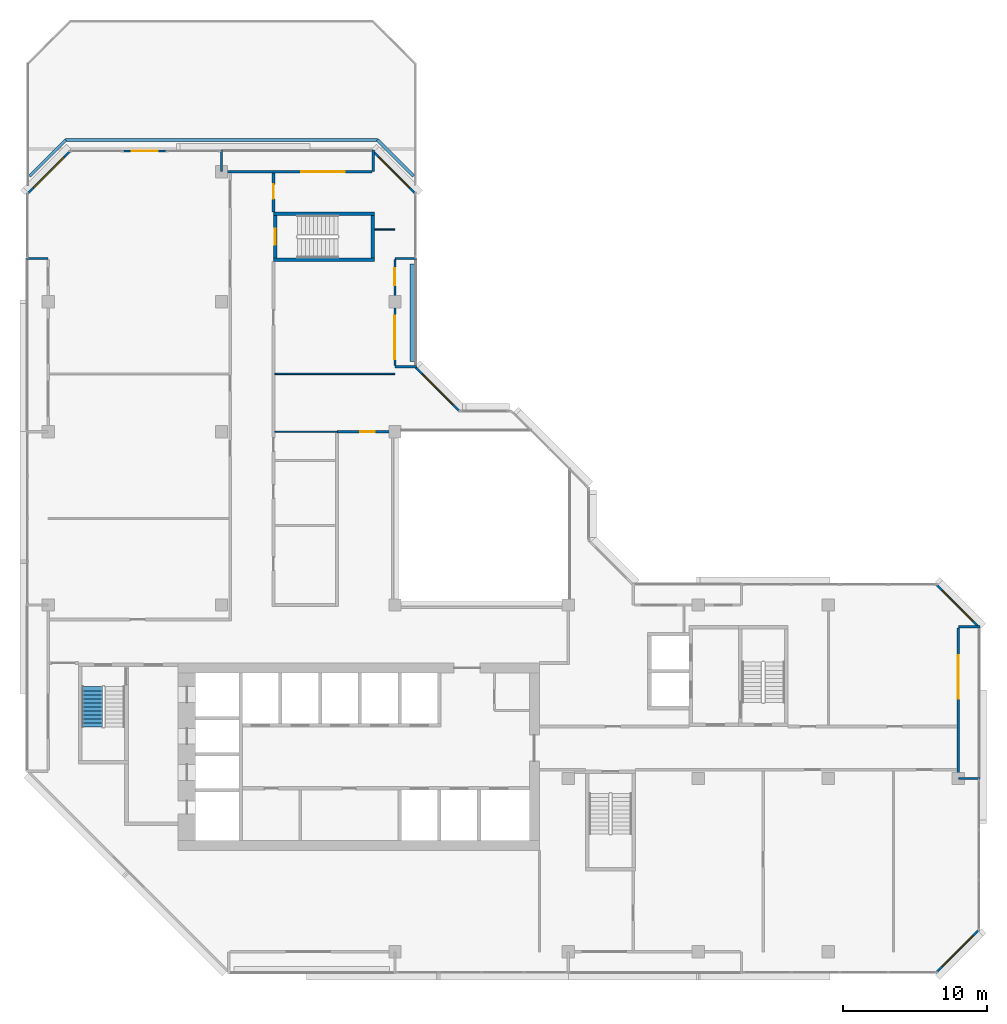
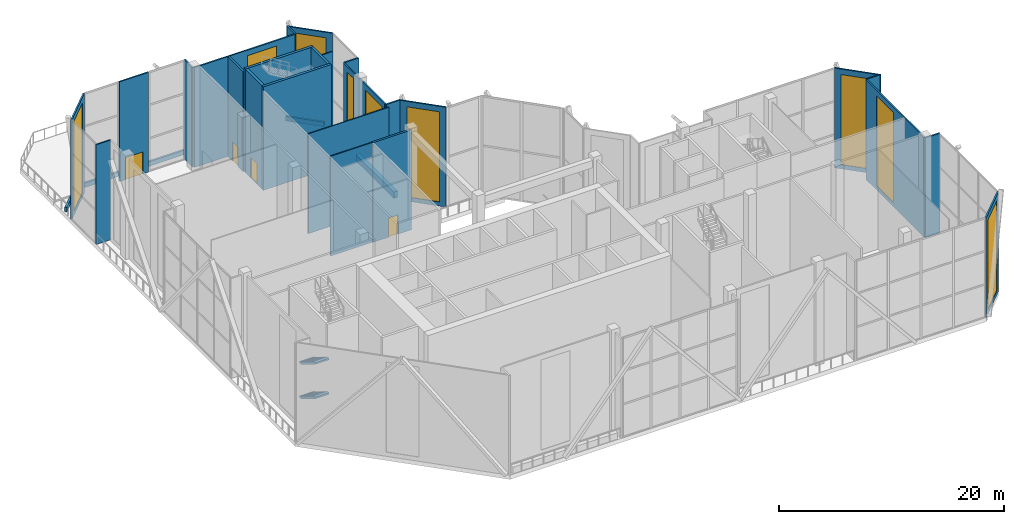
# One storey, part 13 of 18: 29 walls, 9 windows, 4 doors, 2 stair flights, 13 openings, 1 element without a shape of its own.
"""IFC4 building model written with IfcOpenShell, lengths in metres."""

from ifc_helpers import new_model, si_unit, direction, frame, frame_2d, origin, place, context, subcontext, project, spatial, polyline, rectangle, outline, extrude, material, layer, layer_set, type_object, element, fill, aggregate, save


model = new_model("IFC4")

# Units and contexts
model_context = context("Model", 3, precision=1e-05, world=origin(), true_north=direction((0.0, 1.0)))
body_context = subcontext(model_context, "Body", "Model", "MODEL_VIEW")
ifc_project = project(units=[si_unit("LENGTHUNIT", "METRE"), si_unit("AREAUNIT", "SQUARE_METRE"), si_unit("VOLUMEUNIT", "CUBIC_METRE"), si_unit("PLANEANGLEUNIT", "RADIAN"), si_unit("MASSUNIT", "GRAM", prefix="KILO")], contexts=[model_context])

# Site, building, storey
site_placement = place(None, origin())
site = spatial("IfcSite", under=ifc_project, at=site_placement, CompositionType="ELEMENT")
building_placement = place(site_placement, origin())
building = spatial("IfcBuilding", under=site, at=building_placement, Name="Chenar Terraces", CompositionType="ELEMENT")
storey_placement = place(building_placement, frame((0.0, 0.0, 262.14990234375)))
storey = spatial("IfcBuildingStorey", under=building, at=storey_placement, Name="L62", CompositionType="ELEMENT", Elevation=262.14990234375)

# Walls
ifc_material_1 = material(Name="Concrete C60/75", Category="concrete")
ifc_layer_1 = layer(ifc_material_1, 0.25)
ifc_layer_set_1 = layer_set([ifc_layer_1], Name="Concrete C60/75")
wall_type_1 = type_object("IfcWallType", Name="Core wall 250 Concrete C60/75", PredefinedType="SHEAR", material=ifc_layer_set_1)
for number, where, z_axis, x_axis, name in (
    (1, (15.60009765625, 47.89990234375, 0.0), (0.0, 0.0, 1.0), (1.0, 0.0, 0.0), "Core wall ST4_S L62"),
    (2, (15.60009765625, 51.10009765625, 0.0), (0.0, 0.0, 1.0), (1.0, 0.0, 0.0), "Core wall ST4_N L62"),
):
    element("IfcWall", number, at=place(storey_placement, frame(where, z_axis=z_axis, x_axis=x_axis)), inside=storey, type_object=wall_type_1, Name=name, PredefinedType="SHEAR", context=body_context, shape_type="SweptSolid", body=[
        extrude(rectangle(XDim=7.0, YDim=0.25, at=frame_2d((3.5, 0.0))), origin(), (0.0, 0.0, 1.0), 11.25),
    ])

# Wall, opening, door
wall_1_placement = place(storey_placement, frame((15.72509765625, 48.02490234375, 0.0), z_axis=(0.0, 0.0, 1.0), x_axis=(0.0, 1.0, 0.0)))
wall_1 = element("IfcWall", 3, at=wall_1_placement, inside=storey, type_object=wall_type_1, Name="Core wall ST4_W L62", PredefinedType="SHEAR", context=body_context, shape_type="SweptSolid", body=[
    extrude(rectangle(XDim=2.9501953125, YDim=0.25, at=frame_2d((1.47509765625, 0.0))), origin(), (0.0, 0.0, 1.0), 11.25),
])
opening_1_placement = place(wall_1_placement, frame((0.925048828125, 0.0, 0.0)))
opening_1 = element("IfcOpeningElement", 4, at=opening_1_placement, cuts=wall_1, Name="Opening DL62-C9", PredefinedType="OPENING", context=body_context, shape_type="SweptSolid", body=[
    extrude(rectangle(XDim=1.10009765625, YDim=2.199951171875, at=frame_2d((0.550048828125, 1.10009765625))), frame((0.0, 0.135009765625, 0.0), z_axis=(0.0, -1.0, 0.0), x_axis=(1.0, 0.0, 0.0)), (0.0, 0.0, 1.0), 0.27001953125),
])
ifc_material_2 = material(Name="Steel-framed fire-resisting door leaf", Category="steel")
door_type_1 = type_object("IfcDoorType", Name="Stair fire door FD60 1100 x 2200", OperationType="SINGLE_SWING_LEFT", PredefinedType="DOOR", material=ifc_material_2)
door_1_placement = place(opening_1_placement, frame((1.10009765625, 0.0, 0.0), z_axis=(0.0, 0.0, 1.0), x_axis=(-1.0, 0.0, 0.0)))
door_1 = element("IfcDoor", 5, at=door_1_placement, inside=storey, type_object=door_type_1, Name="Stair door DL62-C9", OperationType="SINGLE_SWING_RIGHT", OverallHeight=2.199951171875, OverallWidth=1.10009765625, PredefinedType="DOOR", context=body_context, shape_type="SweptSolid", body=[
    extrude(rectangle(XDim=1.10009765625, YDim=2.199951171875, at=frame_2d((0.550048828125, 1.10009765625))), frame((0.0, 0.02490234375, 0.0), z_axis=(0.0, -1.0, 0.0), x_axis=(1.0, 0.0, 0.0)), (0.0, 0.0, 1.0), 0.050048828125),
])
fill(opening_1, door_1)

# Wall
wall_2_placement = place(storey_placement, frame((22.47509765625, 48.02490234375, 0.0), z_axis=(0.0, 0.0, 1.0), x_axis=(0.0, 1.0, 0.0)))
element("IfcWall", 6, at=wall_2_placement, inside=storey, type_object=wall_type_1, Name="Core wall ST4_E L62", PredefinedType="SHEAR", context=body_context, shape_type="SweptSolid", body=[
    extrude(rectangle(XDim=2.9501953125, YDim=0.25, at=frame_2d((1.47509765625, 0.0))), origin(), (0.0, 0.0, 1.0), 11.25),
])

# Wall, opening, door
ifc_material_3 = material(Name="Gypsum board on steel studs with fire boards", Category="steel")
ifc_layer_2 = layer(ifc_material_3, 0.199951171875)
ifc_layer_set_2 = layer_set([ifc_layer_2], Name="Gypsum board on steel studs with fire boards")
wall_type_2 = type_object("IfcWallType", Name="Corridor wall 200", PredefinedType="PARTITIONING", material=ifc_layer_set_2)
wall_3_placement = place(storey_placement, frame((15.60009765625, 51.22509765625, 0.0), z_axis=(0.0, 0.0, 1.0), x_axis=(0.0, 1.0, 0.0)))
wall_3 = element("IfcWall", 7, at=wall_3_placement, inside=storey, type_object=wall_type_2, Name="Partition L62-007", PredefinedType="PARTITIONING", context=body_context, shape_type="SweptSolid", body=[
    extrude(rectangle(XDim=2.700927734375, YDim=0.199951171875, at=frame_2d((1.3505859375, 0.0))), origin(), (0.0, 0.0, 1.0), 10.85009765625),
])
opening_2_placement = place(wall_3_placement, frame((0.89990234375, 0.0, 0.0)))
opening_2 = element("IfcOpeningElement", 8, at=opening_2_placement, cuts=wall_3, Name="Opening DL62-10", PredefinedType="OPENING", context=body_context, shape_type="SweptSolid", body=[
    extrude(rectangle(XDim=1.0, YDim=2.10009765625, at=frame_2d((0.5, 1.050048828125))), frame((0.0, 0.10986328125, 0.0), z_axis=(0.0, -1.0, 0.0), x_axis=(1.0, 0.0, 0.0)), (0.0, 0.0, 1.0), 0.219970703125),
])
ifc_material_4 = material(Name="Steel-framed fire-resisting door leaf", Category="steel")
door_type_2 = type_object("IfcDoorType", Name="Fire door FD60 1000 x 2100", OperationType="SINGLE_SWING_LEFT", PredefinedType="DOOR", material=ifc_material_4)
door_2_placement = place(opening_2_placement, frame((1.0, 0.0, 0.0), z_axis=(0.0, 0.0, 1.0), x_axis=(-1.0, 0.0, 0.0)))
door_2 = element("IfcDoor", 9, at=door_2_placement, inside=storey, type_object=door_type_2, Name="Door DL62-10", OperationType="SINGLE_SWING_LEFT", OverallHeight=2.10009765625, OverallWidth=1.0, PredefinedType="DOOR", context=body_context, shape_type="SweptSolid", body=[
    extrude(rectangle(XDim=1.0, YDim=2.10009765625, at=frame_2d((0.5, 1.050048828125))), frame((0.0, 0.02490234375, 0.0), z_axis=(0.0, -1.0, 0.0), x_axis=(1.0, 0.0, 0.0)), (0.0, 0.0, 1.0), 0.050048828125),
])
fill(opening_2, door_2)

wall_4_placement = place(storey_placement, frame((20.0, 36.0, 0.0), z_axis=(0.0, 0.0, 1.0), x_axis=(1.0, 0.0, 0.0)))
wall_4 = element("IfcWall", 10, at=wall_4_placement, inside=storey, type_object=wall_type_2, Name="Partition L62-014", PredefinedType="PARTITIONING", context=body_context, shape_type="SweptSolid", body=[
    extrude(rectangle(XDim=4.0, YDim=0.199951171875, at=frame_2d((2.0, 0.0))), origin(), (0.0, 0.0, 1.0), 10.85009765625),
])
opening_3_placement = place(wall_4_placement, frame((1.60009765625, 0.0, 0.0)))
opening_3 = element("IfcOpeningElement", 11, at=opening_3_placement, cuts=wall_4, Name="Opening DL62-8", PredefinedType="OPENING", context=body_context, shape_type="SweptSolid", body=[
    extrude(rectangle(XDim=1.0, YDim=2.10009765625, at=frame_2d((0.5, 1.050048828125))), frame((0.0, 0.10986328125, 0.0), z_axis=(0.0, -1.0, 0.0), x_axis=(1.0, 0.0, 0.0)), (0.0, 0.0, 1.0), 0.219970703125),
])
door_3_placement = place(opening_3_placement, origin())
door_3 = element("IfcDoor", 12, at=door_3_placement, inside=storey, type_object=door_type_2, Name="Door DL62-8", OperationType="SINGLE_SWING_RIGHT", OverallHeight=2.10009765625, OverallWidth=1.0, PredefinedType="DOOR", context=body_context, shape_type="SweptSolid", body=[
    extrude(rectangle(XDim=1.0, YDim=2.10009765625, at=frame_2d((0.5, 1.050048828125))), frame((0.0, 0.02490234375, 0.0), z_axis=(0.0, -1.0, 0.0), x_axis=(1.0, 0.0, 0.0)), (0.0, 0.0, 1.0), 0.050048828125),
])
fill(opening_3, door_3)

ifc_material_5 = material(Name="Aluminium framed glazing", Category="aluminium")
ifc_layer_3 = layer(ifc_material_5, 0.14990234375)
ifc_layer_set_3 = layer_set([ifc_layer_3], Name="Aluminium framed glazing")
wall_type_3 = type_object("IfcWallType", Name="Glazed flush facade wall 150", PredefinedType="SOLIDWALL", material=ifc_layer_set_3)
wall_5_placement = place(storey_placement, frame((8.175048828125, 55.425048828125, 0.0), z_axis=(0.0, 0.0, 1.0), x_axis=(-1.0, 0.0, 0.0)))
wall_5 = element("IfcWall", 13, at=wall_5_placement, inside=storey, type_object=wall_type_3, Name="Glazed flush facade wall", PredefinedType="SOLIDWALL", context=body_context, shape_type="SweptSolid", body=[
    extrude(rectangle(XDim=3.0, YDim=0.14990234375, at=frame_2d((1.5, 0.0))), origin(), (0.0, 0.0, 1.0), 10.85009765625),
])
opening_4_placement = place(wall_5_placement, frame((0.60009765625, 0.0, 0.0)))
opening_4 = element("IfcOpeningElement", 14, at=opening_4_placement, cuts=wall_5, Name="Opening DL62-S15", PredefinedType="OPENING", context=body_context, shape_type="SweptSolid", body=[
    extrude(rectangle(XDim=1.800048828125, YDim=2.39990234375, at=frame_2d((0.89990234375, 1.199951171875))), frame((0.0, 0.0849609375, 0.0), z_axis=(0.0, -1.0, 0.0), x_axis=(1.0, 0.0, 0.0)), (0.0, 0.0, 1.0), 0.169921875),
])
ifc_material_6 = material(Name="Low emissivity double glazing, aluminium frame", Category="aluminium")
door_type_3 = type_object("IfcDoorType", Name="Terrace glazed double door 1800 x 2400", OperationType="DOUBLE_DOOR_SINGLE_SWING", PredefinedType="DOOR", material=ifc_material_6)
door_4_placement = place(opening_4_placement, origin())
door_4 = element("IfcDoor", 15, at=door_4_placement, inside=storey, type_object=door_type_3, Name="Terrace glazed door", OperationType="DOUBLE_DOOR_SINGLE_SWING", OverallHeight=2.39990234375, OverallWidth=1.800048828125, PredefinedType="DOOR", context=body_context, shape_type="SweptSolid", body=[
    extrude(rectangle(XDim=1.800048828125, YDim=2.39990234375, at=frame_2d((0.89990234375, 1.199951171875))), frame((0.0, 0.02490234375, 0.0), z_axis=(0.0, -1.0, 0.0), x_axis=(1.0, 0.0, 0.0)), (0.0, 0.0, 1.0), 0.050048828125),
])
fill(opening_4, door_4)

# Wall, openings, windows
ifc_material_7 = material(Name="Aluminium framed glazing", Category="aluminium")
ifc_layer_4 = layer(ifc_material_7, 0.14990234375)
ifc_layer_set_4 = layer_set([ifc_layer_4], Name="Aluminium framed glazing")
wall_type_4 = type_object("IfcWallType", Name="Glazed loggia back wall 150", PredefinedType="SOLIDWALL", material=ifc_layer_set_4)
wall_6_placement = place(storey_placement, frame((24.0, 40.574951171875, 0.0), z_axis=(0.0, 0.0, 1.0), x_axis=(0.0, 1.0, 0.0)))
wall_6 = element("IfcWall", 16, at=wall_6_placement, inside=storey, type_object=wall_type_4, Name="Glazed loggia back wall", PredefinedType="SOLIDWALL", context=body_context, shape_type="SweptSolid", body=[
    extrude(rectangle(XDim=7.35009765625, YDim=0.14990234375, at=frame_2d((3.675048828125, 0.0))), origin(), (0.0, 0.0, 1.0), 10.85009765625),
])
opening_5_placement = place(wall_6_placement, frame((0.449951171875, 0.0, 0.449951171875)))
opening_5 = element("IfcOpeningElement", 17, at=opening_5_placement, cuts=wall_6, Name="Opening W300x980", PredefinedType="OPENING", context=body_context, shape_type="SweptSolid", body=[
    extrude(rectangle(XDim=3.0, YDim=9.800048828125, at=frame_2d((1.5, 4.89990234375))), frame((0.0, 0.0849609375, 0.0), z_axis=(0.0, -1.0, 0.0), x_axis=(1.0, 0.0, 0.0)), (0.0, 0.0, 1.0), 0.169921875),
])
opening_6_placement = place(wall_6_placement, frame((5.550048828125, 0.0, 0.449951171875)))
opening_6 = element("IfcOpeningElement", 18, at=opening_6_placement, cuts=wall_6, Name="Opening W120x980", PredefinedType="OPENING", context=body_context, shape_type="SweptSolid", body=[
    extrude(rectangle(XDim=1.199951171875, YDim=9.800048828125, at=frame_2d((0.60009765625, 4.89990234375))), frame((0.0, 0.0849609375, 0.0), z_axis=(0.0, -1.0, 0.0), x_axis=(1.0, 0.0, 0.0)), (0.0, 0.0, 1.0), 0.169921875),
])
ifc_material_8 = material(Name="Low emissivity double glazing, aluminium frame", Category="aluminium")
window_type_1 = type_object("IfcWindowType", Name="Fixed light 1200 x 9800", PartitioningType="SINGLE_PANEL", PredefinedType="WINDOW", material=ifc_material_8)
window_1_placement = place(opening_6_placement, origin())
window_1 = element("IfcWindow", 19, at=window_1_placement, inside=storey, type_object=window_type_1, Name="Window", OverallHeight=9.800048828125, OverallWidth=1.199951171875, PartitioningType="SINGLE_PANEL", PredefinedType="WINDOW", context=body_context, shape_type="SweptSolid", body=[
    extrude(rectangle(XDim=1.199951171875, YDim=9.800048828125, at=frame_2d((0.60009765625, 4.89990234375))), frame((0.0, 0.030029296875, 0.0), z_axis=(0.0, -1.0, 0.0), x_axis=(1.0, 0.0, 0.0)), (0.0, 0.0, 1.0), 0.06005859375),
])
fill(opening_6, window_1)
ifc_material_9 = material(Name="Low emissivity double glazing, aluminium frame", Category="aluminium")
window_type_2 = type_object("IfcWindowType", Name="Fixed light 3000 x 9800", PartitioningType="SINGLE_PANEL", PredefinedType="WINDOW", material=ifc_material_9)
window_2_placement = place(opening_5_placement, origin())
window_2 = element("IfcWindow", 20, at=window_2_placement, inside=storey, type_object=window_type_2, Name="Window", OverallHeight=9.800048828125, OverallWidth=3.0, PartitioningType="SINGLE_PANEL", PredefinedType="WINDOW", context=body_context, shape_type="SweptSolid", body=[
    extrude(rectangle(XDim=3.0, YDim=9.800048828125, at=frame_2d((1.5, 4.89990234375))), frame((0.0, 0.030029296875, 0.0), z_axis=(0.0, -1.0, 0.0), x_axis=(1.0, 0.0, 0.0)), (0.0, 0.0, 1.0), 0.06005859375),
])
fill(opening_5, window_2)

# Wall, opening, window
wall_7_placement = place(storey_placement, frame((22.425048828125, 54.0, 0.0), z_axis=(0.0, 0.0, 1.0), x_axis=(-1.0, 0.0, 0.0)))
wall_7 = element("IfcWall", 21, at=wall_7_placement, inside=storey, type_object=wall_type_4, Name="Glazed loggia back wall", PredefinedType="SOLIDWALL", context=body_context, shape_type="SweptSolid", body=[
    extrude(rectangle(XDim=10.35009765625, YDim=0.14990234375, at=frame_2d((5.175048828125, 0.0))), origin(), (0.0, 0.0, 1.0), 10.85009765625),
])
opening_7_placement = place(wall_7_placement, frame((1.91259765625, 0.0, 0.449951171875)))
opening_7 = element("IfcOpeningElement", 22, at=opening_7_placement, cuts=wall_7, Name="Opening W300x980", PredefinedType="OPENING", context=body_context, shape_type="SweptSolid", body=[
    extrude(rectangle(XDim=3.0, YDim=9.800048828125, at=frame_2d((1.5, 4.89990234375))), frame((0.0, 0.0849609375, 0.0), z_axis=(0.0, -1.0, 0.0), x_axis=(1.0, 0.0, 0.0)), (0.0, 0.0, 1.0), 0.169921875),
])
window_3_placement = place(opening_7_placement, origin())
window_3 = element("IfcWindow", 23, at=window_3_placement, inside=storey, type_object=window_type_2, Name="Window", OverallHeight=9.800048828125, OverallWidth=3.0, PartitioningType="SINGLE_PANEL", PredefinedType="WINDOW", context=body_context, shape_type="SweptSolid", body=[
    extrude(rectangle(XDim=3.0, YDim=9.800048828125, at=frame_2d((1.5, 4.89990234375))), frame((0.0, 0.030029296875, 0.0), z_axis=(0.0, -1.0, 0.0), x_axis=(1.0, 0.0, 0.0)), (0.0, 0.0, 1.0), 0.06005859375),
])
fill(opening_7, window_3)

wall_8_placement = place(storey_placement, frame((63.0, 12.074951171875, 0.0), z_axis=(0.0, 0.0, 1.0), x_axis=(0.0, 1.0, 0.0)))
wall_8 = element("IfcWall", 24, at=wall_8_placement, inside=storey, type_object=wall_type_4, Name="Glazed loggia back wall", PredefinedType="SOLIDWALL", context=body_context, shape_type="SweptSolid", body=[
    extrude(rectangle(XDim=10.35009765625, YDim=0.14990234375, at=frame_2d((5.175048828125, 0.0))), origin(), (0.0, 0.0, 1.0), 10.85009765625),
])
opening_8_placement = place(wall_8_placement, frame((5.4375, 0.0, 0.449951171875)))
opening_8 = element("IfcOpeningElement", 25, at=opening_8_placement, cuts=wall_8, Name="Opening W300x980", PredefinedType="OPENING", context=body_context, shape_type="SweptSolid", body=[
    extrude(rectangle(XDim=3.0, YDim=9.800048828125, at=frame_2d((1.5, 4.89990234375))), frame((0.0, 0.0849609375, 0.0), z_axis=(0.0, -1.0, 0.0), x_axis=(1.0, 0.0, 0.0)), (0.0, 0.0, 1.0), 0.169921875),
])
window_4_placement = place(opening_8_placement, origin())
window_4 = element("IfcWindow", 26, at=window_4_placement, inside=storey, type_object=window_type_2, Name="Window", OverallHeight=9.800048828125, OverallWidth=3.0, PartitioningType="SINGLE_PANEL", PredefinedType="WINDOW", context=body_context, shape_type="SweptSolid", body=[
    extrude(rectangle(XDim=3.0, YDim=9.800048828125, at=frame_2d((1.5, 4.89990234375))), frame((0.0, 0.030029296875, 0.0), z_axis=(0.0, -1.0, 0.0), x_axis=(1.0, 0.0, 0.0)), (0.0, 0.0, 1.0), 0.06005859375),
])
fill(opening_8, window_4)

# Walls
ifc_material_10 = material(Name="Gypsum board on steel studs", Category="steel")
ifc_layer_5 = layer(ifc_material_10, 0.10009765625)
ifc_layer_set_5 = layer_set([ifc_layer_5], Name="Gypsum board on steel studs")
wall_type_5 = type_object("IfcWallType", Name="Gypsum partition 100", PredefinedType="PARTITIONING", material=ifc_layer_set_5)
wall_9_placement = place(storey_placement, frame((15.699951171875, 36.0, 0.0), z_axis=(0.0, 0.0, 1.0), x_axis=(1.0, 0.0, 0.0)))
element("IfcWall", 27, at=wall_9_placement, inside=storey, type_object=wall_type_5, Name="Partition L62-011", PredefinedType="PARTITIONING", context=body_context, shape_type="SweptSolid", body=[
    extrude(rectangle(XDim=4.300048828125, YDim=0.10009765625, at=frame_2d((2.14990234375, 0.0))), origin(), (0.0, 0.0, 1.0), 10.85009765625),
])
wall_10_placement = place(storey_placement, frame((15.699951171875, 40.0, 0.0), z_axis=(0.0, 0.0, 1.0), x_axis=(1.0, 0.0, 0.0)))
element("IfcWall", 28, at=wall_10_placement, inside=storey, type_object=wall_type_5, Name="Partition L62-012", PredefinedType="PARTITIONING", context=body_context, shape_type="SweptSolid", body=[
    extrude(rectangle(XDim=8.300048828125, YDim=0.10009765625, at=frame_2d((4.14990234375, 0.0))), origin(), (0.0, 0.0, 1.0), 10.85009765625),
])
wall_11_placement = place(storey_placement, frame((22.60009765625, 50.0, 0.0), z_axis=(0.0, 0.0, 1.0), x_axis=(1.0, 0.0, 0.0)))
element("IfcWall", 29, at=wall_11_placement, inside=storey, type_object=wall_type_5, Name="Partition L62-015", PredefinedType="PARTITIONING", context=body_context, shape_type="SweptSolid", body=[
    extrude(rectangle(XDim=1.39990234375, YDim=0.10009765625, at=frame_2d((0.699951171875, 0.0))), origin(), (0.0, 0.0, 1.0), 10.85009765625),
])
ifc_material_11 = material(Name="Terracotta cladding on insulated backing", Category="masonry")
ifc_layer_6 = layer(ifc_material_11, 0.14990234375)
ifc_layer_set_6 = layer_set([ifc_layer_6], Name="Terracotta cladding on insulated backing")
wall_type_6 = type_object("IfcWallType", Name="Loggia return wall 150", PredefinedType="SOLIDWALL", material=ifc_layer_set_6)
for number, where, z_axis, x_axis, name in (
    (30, (25.5, 40.5, 0.0), (0.0, 0.0, 1.0), (-1.0, 0.0, 0.0), "Loggia return wall"),
    (31, (25.5, 48.0, 0.0), (0.0, 0.0, 1.0), (-1.0, 0.0, 0.0), "Loggia return wall"),
    (32, (22.5, 55.5, 0.0), (0.0, 0.0, 1.0), (0.0, -1.0, 0.0), "Loggia return wall"),
    (33, (12.0, 55.5, 0.0), (0.0, 0.0, 1.0), (0.0, -1.0, 0.0), "Loggia return wall"),
    (34, (-1.5, 48.0, 0.0), (0.0, 0.0, 1.0), (1.0, 0.0, 0.0), "Loggia return wall"),
    (35, (64.5, 12.0, 0.0), (0.0, 0.0, 1.0), (-1.0, 0.0, 0.0), "Loggia return wall"),
    (36, (64.5, 22.5, 0.0), (0.0, 0.0, 1.0), (-1.0, 0.0, 0.0), "Loggia return wall"),
):
    element("IfcWall", number, at=place(storey_placement, frame(where, z_axis=z_axis, x_axis=x_axis)), inside=storey, type_object=wall_type_6, Name=name, PredefinedType="SOLIDWALL", context=body_context, shape_type="SweptSolid", body=[
        extrude(rectangle(XDim=1.5, YDim=0.14990234375, at=frame_2d((0.75, 0.0))), origin(), (0.0, 0.0, 1.0), 10.85009765625),
    ])
ifc_material_12 = material(Name="Terracotta cladding on insulated backing", Category="masonry")
ifc_layer_7 = layer(ifc_material_12, 0.199951171875)
ifc_layer_set_7 = layer_set([ifc_layer_7], Name="Terracotta cladding on insulated backing")
wall_type_7 = type_object("IfcWallType", Name="Terrace parapet upstand 200", PredefinedType="PARAPET", material=ifc_layer_set_7)
wall_12_placement = place(storey_placement, frame((-1.300048828125, 53.68994140625, 0.0), z_axis=(0.0, 0.0, 1.0), x_axis=(0.707106781187, 0.707106781187, 0.0)))
element("IfcWall", 37, at=wall_12_placement, inside=storey, type_object=wall_type_7, Name="Terrace parapet", PredefinedType="PARAPET", context=body_context, shape_type="SweptSolid", body=[
    extrude(rectangle(XDim=3.5498046875, YDim=0.199951171875, at=frame_2d((1.77490234375, 0.0))), origin(), (0.0, 0.0, 1.0), 0.5),
])
wall_13_placement = place(storey_placement, frame((1.2099609375, 56.199951171875, 0.0), z_axis=(0.0, 0.0, 1.0), x_axis=(1.0, 0.0, 0.0)))
element("IfcWall", 38, at=wall_13_placement, inside=storey, type_object=wall_type_7, Name="Terrace parapet", PredefinedType="PARAPET", context=body_context, shape_type="SweptSolid", body=[
    extrude(rectangle(XDim=21.580078125, YDim=0.199951171875, at=frame_2d((10.7900390625, 0.0))), origin(), (0.0, 0.0, 1.0), 0.5),
])
wall_14_placement = place(storey_placement, frame((22.7900390625, 56.199951171875, 0.0), z_axis=(0.0, 0.0, 1.0), x_axis=(0.707106781187, -0.707106781187, 0.0)))
element("IfcWall", 39, at=wall_14_placement, inside=storey, type_object=wall_type_7, Name="Terrace parapet", PredefinedType="PARAPET", context=body_context, shape_type="SweptSolid", body=[
    extrude(rectangle(XDim=3.5498046875, YDim=0.199951171875, at=frame_2d((1.77490234375, 0.0))), origin(), (0.0, 0.0, 1.0), 0.5),
])

# Wall, opening, window
ifc_material_13 = material(Name="Terracotta cladding on insulated backing", Category="masonry")
ifc_layer_8 = layer(ifc_material_13, 0.14990234375)
ifc_layer_set_8 = layer_set([ifc_layer_8], Name="Terracotta cladding on insulated backing")
wall_type_8 = type_object("IfcWallType", Name="Terracotta rainscreen wall 150", PredefinedType="SOLIDWALL", material=ifc_layer_set_8)
wall_15_placement = place(storey_placement, frame((28.447021484375, 37.447021484375, 0.0), z_axis=(0.0, 0.0, 1.0), x_axis=(-0.707106781187, 0.707106781187, 0.0)))
wall_15 = element("IfcWall", 40, at=wall_15_placement, inside=storey, type_object=wall_type_8, Name="Terracotta rainscreen wall", PredefinedType="SOLIDWALL", context=body_context, shape_type="SweptSolid", body=[
    extrude(rectangle(XDim=4.24267578125, YDim=0.14990234375, at=frame_2d((2.121337890625, 0.0))), origin(), (0.0, 0.0, 1.0), 10.85009765625),
])
opening_9_placement = place(wall_15_placement, frame((0.621337890625, 0.0, 0.449951171875)))
opening_9 = element("IfcOpeningElement", 41, at=opening_9_placement, cuts=wall_15, Name="Opening W300x980", PredefinedType="OPENING", context=body_context, shape_type="SweptSolid", body=[
    extrude(rectangle(XDim=3.0, YDim=9.800048828125, at=frame_2d((1.5, 4.89990234375))), frame((0.0, 0.0849609375, 0.0), z_axis=(0.0, -1.0, 0.0), x_axis=(1.0, 0.0, 0.0)), (0.0, 0.0, 1.0), 0.169921875),
])
window_5_placement = place(opening_9_placement, origin())
window_5 = element("IfcWindow", 42, at=window_5_placement, inside=storey, type_object=window_type_2, Name="Window", OverallHeight=9.800048828125, OverallWidth=3.0, PartitioningType="SINGLE_PANEL", PredefinedType="WINDOW", context=body_context, shape_type="SweptSolid", body=[
    extrude(rectangle(XDim=3.0, YDim=9.800048828125, at=frame_2d((1.5, 4.89990234375))), frame((0.0, 0.030029296875, 0.0), z_axis=(0.0, -1.0, 0.0), x_axis=(1.0, 0.0, 0.0)), (0.0, 0.0, 1.0), 0.06005859375),
])
fill(opening_9, window_5)

wall_16_placement = place(storey_placement, frame((25.447021484375, 52.447021484375, 0.0), z_axis=(0.0, 0.0, 1.0), x_axis=(-0.707106781187, 0.707106781187, 0.0)))
wall_16 = element("IfcWall", 43, at=wall_16_placement, inside=storey, type_object=wall_type_8, Name="Terracotta rainscreen wall", PredefinedType="SOLIDWALL", context=body_context, shape_type="SweptSolid", body=[
    extrude(rectangle(XDim=4.24267578125, YDim=0.14990234375, at=frame_2d((2.121337890625, 0.0))), origin(), (0.0, 0.0, 1.0), 10.85009765625),
])
opening_10_placement = place(wall_16_placement, frame((0.621337890625, 0.0, 0.449951171875)))
opening_10 = element("IfcOpeningElement", 44, at=opening_10_placement, cuts=wall_16, Name="Opening W300x980", PredefinedType="OPENING", context=body_context, shape_type="SweptSolid", body=[
    extrude(rectangle(XDim=3.0, YDim=9.800048828125, at=frame_2d((1.5, 4.89990234375))), frame((0.0, 0.0849609375, 0.0), z_axis=(0.0, -1.0, 0.0), x_axis=(1.0, 0.0, 0.0)), (0.0, 0.0, 1.0), 0.169921875),
])
window_6_placement = place(opening_10_placement, origin())
window_6 = element("IfcWindow", 45, at=window_6_placement, inside=storey, type_object=window_type_2, Name="Window", OverallHeight=9.800048828125, OverallWidth=3.0, PartitioningType="SINGLE_PANEL", PredefinedType="WINDOW", context=body_context, shape_type="SweptSolid", body=[
    extrude(rectangle(XDim=3.0, YDim=9.800048828125, at=frame_2d((1.5, 4.89990234375))), frame((0.0, 0.030029296875, 0.0), z_axis=(0.0, -1.0, 0.0), x_axis=(1.0, 0.0, 0.0)), (0.0, 0.0, 1.0), 0.06005859375),
])
fill(opening_10, window_6)

wall_17_placement = place(storey_placement, frame((1.552978515625, 55.447021484375, 0.0), z_axis=(0.0, 0.0, 1.0), x_axis=(-0.707106781187, -0.707106781187, 0.0)))
wall_17 = element("IfcWall", 46, at=wall_17_placement, inside=storey, type_object=wall_type_8, Name="Terracotta rainscreen wall", PredefinedType="SOLIDWALL", context=body_context, shape_type="SweptSolid", body=[
    extrude(rectangle(XDim=4.24267578125, YDim=0.14990234375, at=frame_2d((2.121337890625, 0.0))), origin(), (0.0, 0.0, 1.0), 10.85009765625),
])
opening_11_placement = place(wall_17_placement, frame((0.621337890625, 0.0, 0.449951171875)))
opening_11 = element("IfcOpeningElement", 47, at=opening_11_placement, cuts=wall_17, Name="Opening W300x980", PredefinedType="OPENING", context=body_context, shape_type="SweptSolid", body=[
    extrude(rectangle(XDim=3.0, YDim=9.800048828125, at=frame_2d((1.5, 4.89990234375))), frame((0.0, 0.0849609375, 0.0), z_axis=(0.0, -1.0, 0.0), x_axis=(1.0, 0.0, 0.0)), (0.0, 0.0, 1.0), 0.169921875),
])
window_7_placement = place(opening_11_placement, origin())
window_7 = element("IfcWindow", 48, at=window_7_placement, inside=storey, type_object=window_type_2, Name="Window", OverallHeight=9.800048828125, OverallWidth=3.0, PartitioningType="SINGLE_PANEL", PredefinedType="WINDOW", context=body_context, shape_type="SweptSolid", body=[
    extrude(rectangle(XDim=3.0, YDim=9.800048828125, at=frame_2d((1.5, 4.89990234375))), frame((0.0, 0.030029296875, 0.0), z_axis=(0.0, -1.0, 0.0), x_axis=(1.0, 0.0, 0.0)), (0.0, 0.0, 1.0), 0.06005859375),
])
fill(opening_11, window_7)

wall_18_placement = place(storey_placement, frame((61.447021484375, -1.447021484375, 0.0), z_axis=(0.0, 0.0, 1.0), x_axis=(0.707106781187, 0.707106781187, 0.0)))
wall_18 = element("IfcWall", 49, at=wall_18_placement, inside=storey, type_object=wall_type_8, Name="Terracotta rainscreen wall", PredefinedType="SOLIDWALL", context=body_context, shape_type="SweptSolid", body=[
    extrude(rectangle(XDim=4.24267578125, YDim=0.14990234375, at=frame_2d((2.121337890625, 0.0))), origin(), (0.0, 0.0, 1.0), 10.85009765625),
])
opening_12_placement = place(wall_18_placement, frame((0.621337890625, 0.0, 0.449951171875)))
opening_12 = element("IfcOpeningElement", 50, at=opening_12_placement, cuts=wall_18, Name="Opening W300x980", PredefinedType="OPENING", context=body_context, shape_type="SweptSolid", body=[
    extrude(rectangle(XDim=3.0, YDim=9.800048828125, at=frame_2d((1.5, 4.89990234375))), frame((0.0, 0.0849609375, 0.0), z_axis=(0.0, -1.0, 0.0), x_axis=(1.0, 0.0, 0.0)), (0.0, 0.0, 1.0), 0.169921875),
])
window_8_placement = place(opening_12_placement, origin())
window_8 = element("IfcWindow", 51, at=window_8_placement, inside=storey, type_object=window_type_2, Name="Window", OverallHeight=9.800048828125, OverallWidth=3.0, PartitioningType="SINGLE_PANEL", PredefinedType="WINDOW", context=body_context, shape_type="SweptSolid", body=[
    extrude(rectangle(XDim=3.0, YDim=9.800048828125, at=frame_2d((1.5, 4.89990234375))), frame((0.0, 0.030029296875, 0.0), z_axis=(0.0, -1.0, 0.0), x_axis=(1.0, 0.0, 0.0)), (0.0, 0.0, 1.0), 0.06005859375),
])
fill(opening_12, window_8)

wall_19_placement = place(storey_placement, frame((64.447021484375, 22.447021484375, 0.0), z_axis=(0.0, 0.0, 1.0), x_axis=(-0.707106781187, 0.707106781187, 0.0)))
wall_19 = element("IfcWall", 52, at=wall_19_placement, inside=storey, type_object=wall_type_8, Name="Terracotta rainscreen wall", PredefinedType="SOLIDWALL", context=body_context, shape_type="SweptSolid", body=[
    extrude(rectangle(XDim=4.24267578125, YDim=0.14990234375, at=frame_2d((2.121337890625, 0.0))), origin(), (0.0, 0.0, 1.0), 10.85009765625),
])
opening_13_placement = place(wall_19_placement, frame((0.621337890625, 0.0, 0.449951171875)))
opening_13 = element("IfcOpeningElement", 53, at=opening_13_placement, cuts=wall_19, Name="Opening W300x980", PredefinedType="OPENING", context=body_context, shape_type="SweptSolid", body=[
    extrude(rectangle(XDim=3.0, YDim=9.800048828125, at=frame_2d((1.5, 4.89990234375))), frame((0.0, 0.0849609375, 0.0), z_axis=(0.0, -1.0, 0.0), x_axis=(1.0, 0.0, 0.0)), (0.0, 0.0, 1.0), 0.169921875),
])
window_9_placement = place(opening_13_placement, origin())
window_9 = element("IfcWindow", 54, at=window_9_placement, inside=storey, type_object=window_type_2, Name="Window", OverallHeight=9.800048828125, OverallWidth=3.0, PartitioningType="SINGLE_PANEL", PredefinedType="WINDOW", context=body_context, shape_type="SweptSolid", body=[
    extrude(rectangle(XDim=3.0, YDim=9.800048828125, at=frame_2d((1.5, 4.89990234375))), frame((0.0, 0.030029296875, 0.0), z_axis=(0.0, -1.0, 0.0), x_axis=(1.0, 0.0, 0.0)), (0.0, 0.0, 1.0), 0.06005859375),
])
fill(opening_13, window_9)

# Wall
ifc_material_14 = material(Name="GRP planter trough")
ifc_layer_9 = layer(ifc_material_14, 0.39990234375)
ifc_layer_set_9 = layer_set([ifc_layer_9], Name="GRP planter trough")
wall_type_9 = type_object("IfcWallType", Name="Vertical greenery planter 400", PredefinedType="SOLIDWALL", material=ifc_layer_set_9)
wall_20_placement = place(storey_placement, frame((25.22900390625, 40.875, 0.0), z_axis=(0.0, 0.0, 1.0), x_axis=(0.0, 1.0, 0.0)))
element("IfcWall", 55, at=wall_20_placement, inside=storey, type_object=wall_type_9, Name="Vertical greenery planter", PredefinedType="SOLIDWALL", context=body_context, shape_type="SweptSolid", body=[
    extrude(rectangle(XDim=6.75, YDim=0.39990234375, at=frame_2d((3.375, 0.0))), origin(), (0.0, 0.0, 1.0), 0.7001953125),
])

# Stair, stair flights
ifc_material_15 = material(Name="Reinforced concrete C40/50", Category="concrete")
stair_type = type_object("IfcStairType", Name="Core stair 1400 half-turn", PredefinedType="HALF_TURN_STAIR", material=ifc_material_15)
stair_placement = place(storey_placement, origin())
stair = element("IfcStair", 56, at=stair_placement, inside=storey, type_object=stair_type, Name="L62 Stair 1", PredefinedType="HALF_TURN_STAIR")
ifc_material_16 = material(Name="Reinforced concrete C40/50", Category="concrete")
stair_flight_type = type_object("IfcStairFlightType", Name="Core stair flight 1400", PredefinedType="STRAIGHT", material=ifc_material_16)
stair_flight_1_placement = place(storey_placement, frame((3.050048828125, 18.35009765625, 0.0), z_axis=(0.0, 0.0, 1.0), x_axis=(0.0, -1.0, 0.0)))
stair_flight_1 = element("IfcStairFlight", 57, at=stair_flight_1_placement, type_object=stair_flight_type, Name="ST1 flight 1", NumberOfRisers=11, NumberOfTreads=10, PredefinedType="STRAIGHT", RiserHeight=0.170454545, TreadLength=0.28, context=body_context, shape_type="SweptSolid", body=[
    extrude(outline(polyline([(-0.0029296875, 0.0), (-0.0029296875, 0.17041015625), (0.0, 0.17041015625), (0.280029296875, 0.17041015625), (0.280029296875, 0.3408203125), (0.56005859375, 0.3408203125), (0.56005859375, 0.511474609375), (0.840087890625, 0.511474609375), (0.840087890625, 0.681884765625), (1.1201171875, 0.681884765625), (1.1201171875, 0.852294921875), (1.39990234375, 0.852294921875), (1.39990234375, 1.022705078125), (1.679931640625, 1.022705078125), (1.679931640625, 1.193115234375), (1.9599609375, 1.193115234375), (1.9599609375, 1.363525390625), (2.239990234375, 1.363525390625), (2.239990234375, 1.5341796875), (2.52001953125, 1.5341796875), (2.52001953125, 1.70458984375), (2.800048828125, 1.70458984375), (2.802978515625, 1.70458984375), (2.802978515625, 1.529052734375), (2.800048828125, 1.529052734375), (0.288330078125, 0.0), (-0.0029296875, 0.0)])), frame((0.0, 0.699951171875, 0.0), z_axis=(0.0, -1.0, 0.0), x_axis=(1.0, 0.0, 0.0)), (0.0, 0.0, 1.0), 1.39990234375),
])
stair_flight_2_placement = place(storey_placement, frame((3.050048828125, 18.35009765625, 3.75), z_axis=(0.0, 0.0, 1.0), x_axis=(0.0, -1.0, 0.0)))
stair_flight_2 = element("IfcStairFlight", 58, at=stair_flight_2_placement, type_object=stair_flight_type, Name="ST1 flight 3", NumberOfRisers=11, NumberOfTreads=10, PredefinedType="STRAIGHT", RiserHeight=0.170454545, TreadLength=0.28, context=body_context, shape_type="SweptSolid", body=[
    extrude(outline(polyline([(-0.0029296875, 0.0), (-0.0029296875, 0.17041015625), (0.0, 0.17041015625), (0.280029296875, 0.17041015625), (0.280029296875, 0.3408203125), (0.56005859375, 0.3408203125), (0.56005859375, 0.511474609375), (0.840087890625, 0.511474609375), (0.840087890625, 0.681884765625), (1.1201171875, 0.681884765625), (1.1201171875, 0.852294921875), (1.39990234375, 0.852294921875), (1.39990234375, 1.022705078125), (1.679931640625, 1.022705078125), (1.679931640625, 1.193115234375), (1.9599609375, 1.193115234375), (1.9599609375, 1.363525390625), (2.239990234375, 1.363525390625), (2.239990234375, 1.5341796875), (2.52001953125, 1.5341796875), (2.52001953125, 1.70458984375), (2.800048828125, 1.70458984375), (2.802978515625, 1.70458984375), (2.802978515625, 1.529052734375), (2.800048828125, 1.529052734375), (0.288330078125, 0.0), (-0.0029296875, 0.0)])), frame((0.0, 0.699951171875, 0.0), z_axis=(0.0, -1.0, 0.0), x_axis=(1.0, 0.0, 0.0)), (0.0, 0.0, 1.0), 1.39990234375),
])
aggregate(stair, [stair_flight_1, stair_flight_2])

save(model, "model.ifc")
